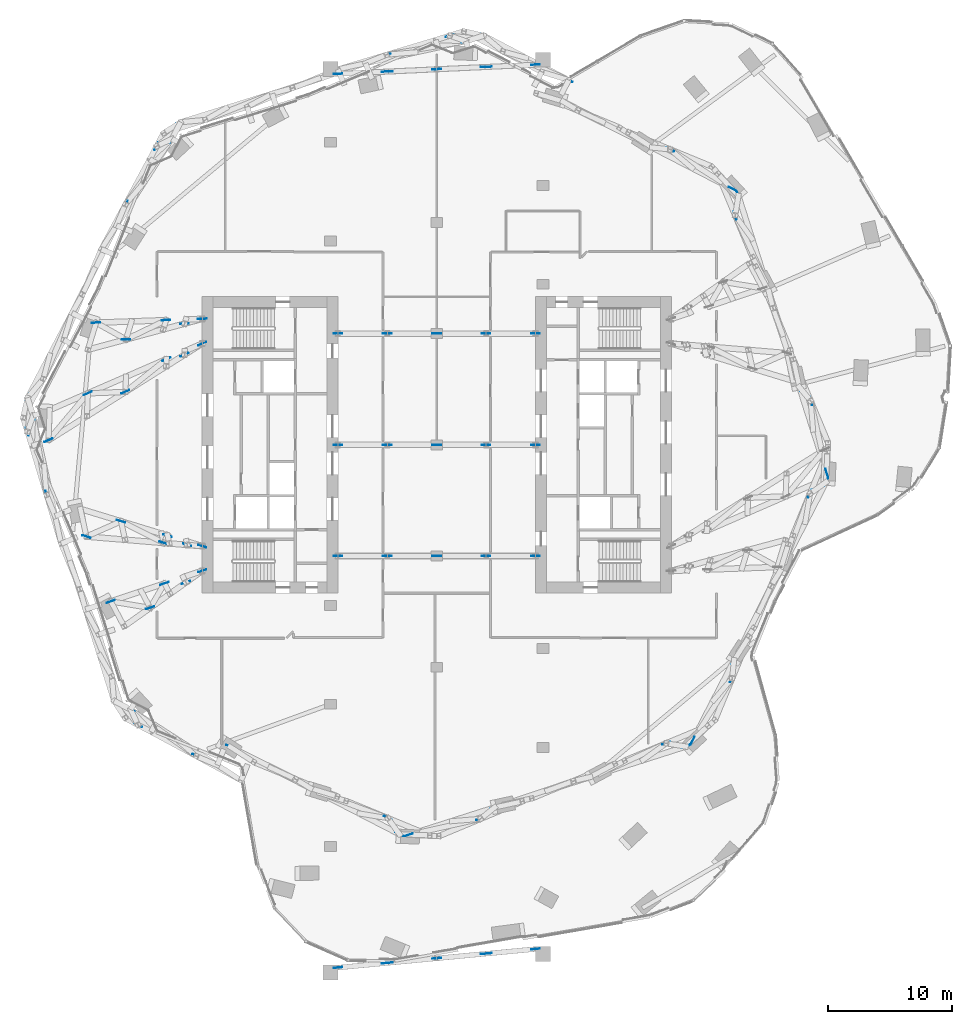
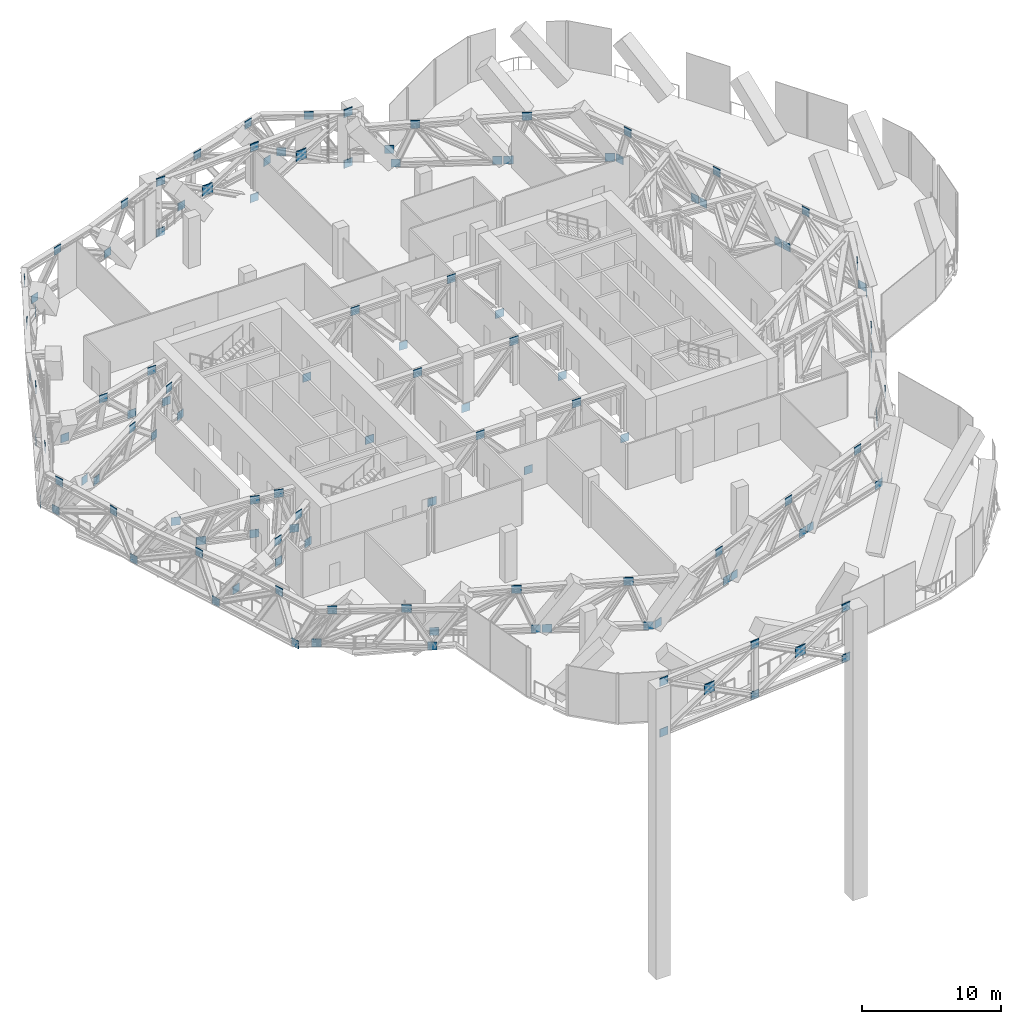
# One storey, part 26 of 31: 4 discrete accessories.
"""IFC4 building model written with IfcOpenShell, lengths in metres."""

from ifc_helpers import new_model, si_unit, direction, frame, origin, origin_2d, place, context, subcontext, project, spatial, rectangle, extrude, material, layer, layer_set, type_object, element, save


model = new_model("IFC4")

# Units and contexts
model_context = context("Model", 3, precision=1e-05, world=origin(), true_north=direction((0.0, 1.0)))
body_context = subcontext(model_context, "Body", "Model", "MODEL_VIEW")
ifc_project = project(units=[si_unit("LENGTHUNIT", "METRE"), si_unit("AREAUNIT", "SQUARE_METRE"), si_unit("VOLUMEUNIT", "CUBIC_METRE"), si_unit("PLANEANGLEUNIT", "RADIAN"), si_unit("MASSUNIT", "GRAM", prefix="KILO")], contexts=[model_context])

# Site, building, storey
site_placement = place(None, origin())
site = spatial("IfcSite", under=ifc_project, at=site_placement, CompositionType="ELEMENT")
building_placement = place(site_placement, origin())
building = spatial("IfcBuilding", under=site, at=building_placement, Name="Orlundy Tower", CompositionType="ELEMENT")
storey_placement = place(building_placement, frame((0.0, 0.0, 271.0)))
storey = spatial("IfcBuildingStorey", under=building, at=storey_placement, Name="L72", CompositionType="ELEMENT", Elevation=271.0)

# Discrete accessories
ifc_material = material(Name="Steel ASTM A572 Gr 50", Category="steel")
ifc_layer = layer(ifc_material, 0.0400390625)
ifc_layer_set = layer_set([ifc_layer], Name="CONNECTION PLATES")
discrete_accessory_type = type_object("IfcDiscreteAccessoryType", Name="CONNECTION PLATES", PredefinedType="ANCHORPLATE", material=ifc_layer_set)
discrete_accessory_1_placement = place(storey_placement, frame((0.0, 0.0, -271.0)))
element("IfcDiscreteAccessory", 1, at=discrete_accessory_1_placement, inside=storey, type_object=discrete_accessory_type, Name="Connection plates BELT-L72", PredefinedType="ANCHORPLATE", context=body_context, shape_type="SweptSolid", body=[
    extrude(rectangle(XDim=0.699951171875, YDim=0.0400390625, at=origin_2d()), frame((-30.88818359375, -5.77197265625, 270.9345703125), z_axis=(0.0, 0.0, 1.0), x_axis=(0.309116587086, -0.951024150896, 0.0)), (0.0, 0.0, 1.0), 0.699951171875),
    extrude(rectangle(XDim=0.699951171875, YDim=0.0400390625, at=origin_2d()), frame((-28.88037109375, -11.67431640625, 274.365234375), z_axis=(0.0, 0.0, 1.0), x_axis=(0.309116587086, -0.951024150896, 0.0)), (0.0, 0.0, 1.0), 0.699951171875),
    extrude(rectangle(XDim=0.699951171875, YDim=0.0400390625, at=origin_2d()), frame((-28.43408203125, -13.322509765625, 270.9345703125), z_axis=(0.0, 0.0, 1.0), x_axis=(0.309116587086, -0.951024150896, 0.0)), (0.0, 0.0, 1.0), 0.699951171875),
    extrude(rectangle(XDim=0.699951171875, YDim=0.0400390625, at=origin_2d()), frame((-26.3017578125, -18.73095703125, 274.365234375), z_axis=(0.0, 0.0, 1.0), x_axis=(0.297991369651, -0.954568564124, 0.0)), (0.0, 0.0, 1.0), 0.699951171875),
    extrude(rectangle(XDim=0.699951171875, YDim=0.0400390625, at=origin_2d()), frame((-26.122314453125, -20.727783203125, 270.9345703125), z_axis=(0.0, 0.0, 1.0), x_axis=(0.297991369651, -0.954568564124, 0.0)), (0.0, 0.0, 1.0), 0.699951171875),
    extrude(rectangle(XDim=0.699951171875, YDim=0.0400390625, at=origin_2d()), frame((-24.176513671875, -22.6796875, 274.365234375), z_axis=(0.0, 0.0, 1.0), x_axis=(0.885693623015, -0.464270186584, 0.0)), (0.0, 0.0, 1.0), 0.699951171875),
    extrude(rectangle(XDim=0.699951171875, YDim=0.0400390625, at=origin_2d()), frame((-24.771728515625, -21.435791015625, 270.9345703125), z_axis=(0.0, 0.0, 1.0), x_axis=(0.885693623015, -0.464270186584, 0.0)), (0.0, 0.0, 1.0), 0.699951171875),
    extrude(rectangle(XDim=0.699951171875, YDim=0.0400390625, at=origin_2d()), frame((-19.471923828125, -25.19873046875, 274.365234375), z_axis=(0.0, 0.0, 1.0), x_axis=(0.842339538642, -0.538947216006, 0.0)), (0.0, 0.0, 1.0), 0.699951171875),
    extrude(rectangle(XDim=0.699951171875, YDim=0.0400390625, at=origin_2d()), frame((-17.75927734375, -25.922607421875, 270.9345703125), z_axis=(0.0, 0.0, 1.0), x_axis=(0.842339538642, -0.538947216006, 0.0)), (0.0, 0.0, 1.0), 0.699951171875),
    extrude(rectangle(XDim=0.699951171875, YDim=0.0400390625, at=origin_2d()), frame((-16.728515625, -24.441162109375, 270.9345703125), z_axis=(0.0, 0.0, 1.0), x_axis=(0.888641246271, -0.458603025966, 0.0)), (0.0, 0.0, 1.0), 0.699951171875),
    extrude(rectangle(XDim=0.699951171875, YDim=0.0400390625, at=origin_2d()), frame((-11.424072265625, -27.069580078125, 274.365234375), z_axis=(0.0, 0.0, 1.0), x_axis=(0.888641246271, -0.458603025966, 0.0)), (0.0, 0.0, 1.0), 0.699951171875),
    extrude(rectangle(XDim=0.699951171875, YDim=0.0400390625, at=origin_2d()), frame((-10.232177734375, -27.7939453125, 270.9345703125), z_axis=(0.0, 0.0, 1.0), x_axis=(0.888641246271, -0.458603025966, 0.0)), (0.0, 0.0, 1.0), 0.699951171875),
    extrude(rectangle(XDim=0.699951171875, YDim=0.0400390625, at=origin_2d()), frame((-9.5166015625, -28.1630859375, 270.9345703125), z_axis=(0.0, 0.0, 1.0), x_axis=(0.888593216602, -0.458696081745, 0.0)), (0.0, 0.0, 1.0), 0.699951171875),
    extrude(rectangle(XDim=0.699951171875, YDim=0.0400390625, at=origin_2d()), frame((-3.948974609375, -30.223876953125, 274.365234375), z_axis=(0.0, 0.0, 1.0), x_axis=(0.888593216602, -0.458696081745, 0.0)), (0.0, 0.0, 1.0), 0.699951171875),
    extrude(rectangle(XDim=0.699951171875, YDim=0.0400390625, at=origin_2d()), frame((-3.020263671875, -31.5166015625, 270.9345703125), z_axis=(0.0, 0.0, 1.0), x_axis=(0.888593216602, -0.458696081745, 0.0)), (0.0, 0.0, 1.0), 0.699951171875),
    extrude(rectangle(XDim=0.699951171875, YDim=0.0400390625, at=origin_2d()), frame((-2.279052734375, -31.578857421875, 270.9345703125), z_axis=(0.0, 0.0, 1.0), x_axis=(0.952656174731, 0.304049687959, 0.0)), (0.0, 0.0, 1.0), 0.699951171875),
    extrude(rectangle(XDim=0.699951171875, YDim=0.0400390625, at=origin_2d()), frame((3.546875, -30.273681640625, 274.365234375), z_axis=(0.0, 0.0, 1.0), x_axis=(0.952656174731, 0.304049687959, 0.0)), (0.0, 0.0, 1.0), 0.699951171875),
    extrude(rectangle(XDim=0.699951171875, YDim=0.0400390625, at=origin_2d()), frame((4.68603515625, -29.35595703125, 270.9345703125), z_axis=(0.0, 0.0, 1.0), x_axis=(0.952656174731, 0.304049687959, 0.0)), (0.0, 0.0, 1.0), 0.699951171875),
    extrude(rectangle(XDim=0.699951171875, YDim=0.0400390625, at=origin_2d()), frame((5.452880859375, -29.111083984375, 270.9345703125), z_axis=(0.0, 0.0, 1.0), x_axis=(0.952656174731, 0.304049687959, 0.0)), (0.0, 0.0, 1.0), 0.699951171875),
    extrude(rectangle(XDim=0.699951171875, YDim=0.0400390625, at=origin_2d()), frame((11.06298828125, -27.218994140625, 274.365234375), z_axis=(0.0, 0.0, 1.0), x_axis=(0.952656174731, 0.304049687959, 0.0)), (0.0, 0.0, 1.0), 0.699951171875),
    extrude(rectangle(XDim=0.699951171875, YDim=0.0400390625, at=origin_2d()), frame((12.418212890625, -26.88818359375, 270.9345703125), z_axis=(0.0, 0.0, 1.0), x_axis=(0.952656174731, 0.304049687959, 0.0)), (0.0, 0.0, 1.0), 0.699951171875),
    extrude(rectangle(XDim=0.699951171875, YDim=0.0400390625, at=origin_2d()), frame((13.18505859375, -26.6435546875, 270.9345703125), z_axis=(0.0, 0.0, 1.0), x_axis=(0.952693314298, 0.303933296782, 0.0)), (0.0, 0.0, 1.0), 0.699951171875),
    extrude(rectangle(XDim=0.699951171875, YDim=0.0400390625, at=origin_2d()), frame((18.5791015625, -24.1640625, 274.365234375), z_axis=(0.0, 0.0, 1.0), x_axis=(0.952693314298, 0.303933296782, 0.0)), (0.0, 0.0, 1.0), 0.699951171875),
    extrude(rectangle(XDim=0.699951171875, YDim=0.0400390625, at=origin_2d()), frame((20.150146484375, -24.42138671875, 270.9345703125), z_axis=(0.0, 0.0, 1.0), x_axis=(0.952693314298, 0.303933296782, 0.0)), (0.0, 0.0, 1.0), 0.699951171875),
    extrude(rectangle(XDim=0.699951171875, YDim=0.0400390625, at=origin_2d()), frame((20.71826171875, -23.94140625, 270.9345703125), z_axis=(0.0, 0.0, 1.0), x_axis=(0.458649554484, 0.888617232655, 0.0)), (0.0, 0.0, 1.0), 0.699951171875),
    extrude(rectangle(XDim=0.699951171875, YDim=0.0400390625, at=origin_2d()), frame((23.914794921875, -18.89892578125, 274.365234375), z_axis=(0.0, 0.0, 1.0), x_axis=(0.458649554484, 0.888617232655, 0.0)), (0.0, 0.0, 1.0), 0.699951171875),
    extrude(rectangle(XDim=0.699951171875, YDim=0.0400390625, at=origin_2d()), frame((24.072021484375, -17.44384765625, 270.9345703125), z_axis=(0.0, 0.0, 1.0), x_axis=(0.458649554484, 0.888617232655, 0.0)), (0.0, 0.0, 1.0), 0.699951171875),
    extrude(rectangle(XDim=0.699951171875, YDim=0.0400390625, at=origin_2d()), frame((24.441162109375, -16.728515625, 270.9345703125), z_axis=(0.0, 0.0, 1.0), x_axis=(0.458603025966, 0.888641246271, 0.0)), (0.0, 0.0, 1.0), 0.699951171875),
    extrude(rectangle(XDim=0.699951171875, YDim=0.0400390625, at=origin_2d()), frame((27.069580078125, -11.424072265625, 274.365234375), z_axis=(0.0, 0.0, 1.0), x_axis=(0.458603025966, 0.888641246271, 0.0)), (0.0, 0.0, 1.0), 0.699951171875),
    extrude(rectangle(XDim=0.699951171875, YDim=0.0400390625, at=origin_2d()), frame((27.7939453125, -10.232177734375, 270.9345703125), z_axis=(0.0, 0.0, 1.0), x_axis=(0.458603025966, 0.888641246271, 0.0)), (0.0, 0.0, 1.0), 0.699951171875),
    extrude(rectangle(XDim=0.699951171875, YDim=0.0400390625, at=origin_2d()), frame((28.1630859375, -9.5166015625, 270.9345703125), z_axis=(0.0, 0.0, 1.0), x_axis=(0.458696081745, 0.888593216602, 0.0)), (0.0, 0.0, 1.0), 0.699951171875),
    extrude(rectangle(XDim=0.699951171875, YDim=0.0400390625, at=origin_2d()), frame((30.223876953125, -3.948974609375, 274.365234375), z_axis=(0.0, 0.0, 1.0), x_axis=(0.458696081745, 0.888593216602, 0.0)), (0.0, 0.0, 1.0), 0.699951171875),
    extrude(rectangle(XDim=0.699951171875, YDim=0.0400390625, at=origin_2d()), frame((31.5166015625, -3.020263671875, 270.9345703125), z_axis=(0.0, 0.0, 1.0), x_axis=(0.458696081745, 0.888593216602, 0.0)), (0.0, 0.0, 1.0), 0.699951171875),
    extrude(rectangle(XDim=0.699951171875, YDim=0.0400390625, at=origin_2d()), frame((31.578857421875, -2.279052734375, 270.9345703125), z_axis=(0.0, 0.0, 1.0), x_axis=(-0.304049687959, 0.952656174731, 0.0)), (0.0, 0.0, 1.0), 0.699951171875),
    extrude(rectangle(XDim=0.699951171875, YDim=0.0400390625, at=origin_2d()), frame((30.273681640625, 3.546875, 274.365234375), z_axis=(0.0, 0.0, 1.0), x_axis=(-0.304049687959, 0.952656174731, 0.0)), (0.0, 0.0, 1.0), 0.699951171875),
    extrude(rectangle(XDim=0.699951171875, YDim=0.0400390625, at=origin_2d()), frame((29.35595703125, 4.68603515625, 270.9345703125), z_axis=(0.0, 0.0, 1.0), x_axis=(-0.304049687959, 0.952656174731, 0.0)), (0.0, 0.0, 1.0), 0.699951171875),
    extrude(rectangle(XDim=0.699951171875, YDim=0.0400390625, at=origin_2d()), frame((29.111083984375, 5.452880859375, 270.9345703125), z_axis=(0.0, 0.0, 1.0), x_axis=(-0.304049687959, 0.952656174731, 0.0)), (0.0, 0.0, 1.0), 0.699951171875),
    extrude(rectangle(XDim=0.699951171875, YDim=0.0400390625, at=origin_2d()), frame((27.218994140625, 11.06298828125, 274.365234375), z_axis=(0.0, 0.0, 1.0), x_axis=(-0.304049687959, 0.952656174731, 0.0)), (0.0, 0.0, 1.0), 0.699951171875),
    extrude(rectangle(XDim=0.699951171875, YDim=0.0400390625, at=origin_2d()), frame((26.88818359375, 12.418212890625, 270.9345703125), z_axis=(0.0, 0.0, 1.0), x_axis=(-0.304049687959, 0.952656174731, 0.0)), (0.0, 0.0, 1.0), 0.699951171875),
    extrude(rectangle(XDim=0.699951171875, YDim=0.0400390625, at=origin_2d()), frame((26.6435546875, 13.18505859375, 270.9345703125), z_axis=(0.0, 0.0, 1.0), x_axis=(-0.303933296782, 0.952693314298, 0.0)), (0.0, 0.0, 1.0), 0.699951171875),
    extrude(rectangle(XDim=0.699951171875, YDim=0.0400390625, at=origin_2d()), frame((24.1640625, 18.5791015625, 274.365234375), z_axis=(0.0, 0.0, 1.0), x_axis=(-0.303933296782, 0.952693314298, 0.0)), (0.0, 0.0, 1.0), 0.699951171875),
    extrude(rectangle(XDim=0.699951171875, YDim=0.0400390625, at=origin_2d()), frame((24.42138671875, 20.150146484375, 270.9345703125), z_axis=(0.0, 0.0, 1.0), x_axis=(-0.303933296782, 0.952693314298, 0.0)), (0.0, 0.0, 1.0), 0.699951171875),
    extrude(rectangle(XDim=0.699951171875, YDim=0.0400390625, at=origin_2d()), frame((23.94140625, 20.71826171875, 270.9345703125), z_axis=(0.0, 0.0, 1.0), x_axis=(-0.888617232655, 0.458649554484, 0.0)), (0.0, 0.0, 1.0), 0.699951171875),
    extrude(rectangle(XDim=0.699951171875, YDim=0.0400390625, at=origin_2d()), frame((18.89892578125, 23.914794921875, 274.365234375), z_axis=(0.0, 0.0, 1.0), x_axis=(-0.888617232655, 0.458649554484, 0.0)), (0.0, 0.0, 1.0), 0.699951171875),
    extrude(rectangle(XDim=0.699951171875, YDim=0.0400390625, at=origin_2d()), frame((17.44384765625, 24.072021484375, 270.9345703125), z_axis=(0.0, 0.0, 1.0), x_axis=(-0.888617232655, 0.458649554484, 0.0)), (0.0, 0.0, 1.0), 0.699951171875),
    extrude(rectangle(XDim=0.699951171875, YDim=0.0400390625, at=origin_2d()), frame((16.728515625, 24.441162109375, 270.9345703125), z_axis=(0.0, 0.0, 1.0), x_axis=(-0.888641246271, 0.458603025966, 0.0)), (0.0, 0.0, 1.0), 0.699951171875),
    extrude(rectangle(XDim=0.699951171875, YDim=0.0400390625, at=origin_2d()), frame((11.424072265625, 27.069580078125, 274.365234375), z_axis=(0.0, 0.0, 1.0), x_axis=(-0.888641246271, 0.458603025966, 0.0)), (0.0, 0.0, 1.0), 0.699951171875),
    extrude(rectangle(XDim=0.699951171875, YDim=0.0400390625, at=origin_2d()), frame((10.232177734375, 27.7939453125, 270.9345703125), z_axis=(0.0, 0.0, 1.0), x_axis=(-0.888641246271, 0.458603025966, 0.0)), (0.0, 0.0, 1.0), 0.699951171875),
    extrude(rectangle(XDim=0.699951171875, YDim=0.0400390625, at=origin_2d()), frame((10.68603515625, 29.526611328125, 270.9345703125), z_axis=(0.0, 0.0, 1.0), x_axis=(-0.885685519837, 0.464285644783, 0.0)), (0.0, 0.0, 1.0), 0.699951171875),
    extrude(rectangle(XDim=0.699951171875, YDim=0.0400390625, at=origin_2d()), frame((5.353271484375, 31.843505859375, 274.365234375), z_axis=(0.0, 0.0, 1.0), x_axis=(-0.885685519837, 0.464285644783, 0.0)), (0.0, 0.0, 1.0), 0.699951171875),
    extrude(rectangle(XDim=0.699951171875, YDim=0.0400390625, at=origin_2d()), frame((3.81494140625, 33.12841796875, 270.9345703125), z_axis=(0.0, 0.0, 1.0), x_axis=(-0.885685519837, 0.464285644783, 0.0)), (0.0, 0.0, 1.0), 0.699951171875),
    extrude(rectangle(XDim=0.699951171875, YDim=0.0400390625, at=origin_2d()), frame((1.057861328125, 33.1328125, 274.365234375), z_axis=(0.0, 0.0, 1.0), x_axis=(-0.954500927457, -0.298207946716, 0.0)), (0.0, 0.0, 1.0), 0.699951171875),
    extrude(rectangle(XDim=0.699951171875, YDim=0.0400390625, at=origin_2d()), frame((2.35888671875, 32.673583984375, 270.9345703125), z_axis=(0.0, 0.0, 1.0), x_axis=(-0.954500927457, -0.298207946716, 0.0)), (0.0, 0.0, 1.0), 0.699951171875),
    extrude(rectangle(XDim=0.699951171875, YDim=0.0400390625, at=origin_2d()), frame((-4.0498046875, 31.587158203125, 274.365234375), z_axis=(0.0, 0.0, 1.0), x_axis=(-0.976735948597, -0.214445533221, 0.0)), (0.0, 0.0, 1.0), 0.699951171875),
    extrude(rectangle(XDim=0.699951171875, YDim=0.0400390625, at=origin_2d()), frame((-5.77197265625, 30.88818359375, 270.9345703125), z_axis=(0.0, 0.0, 1.0), x_axis=(-0.976735948597, -0.214445533221, 0.0)), (0.0, 0.0, 1.0), 0.699951171875),
    extrude(rectangle(XDim=0.699951171875, YDim=0.0400390625, at=origin_2d()), frame((-11.67431640625, 28.88037109375, 274.365234375), z_axis=(0.0, 0.0, 1.0), x_axis=(-0.951024150896, -0.309116587086, 0.0)), (0.0, 0.0, 1.0), 0.699951171875),
    extrude(rectangle(XDim=0.699951171875, YDim=0.0400390625, at=origin_2d()), frame((-13.322509765625, 28.43408203125, 270.9345703125), z_axis=(0.0, 0.0, 1.0), x_axis=(-0.951024150896, -0.309116587086, 0.0)), (0.0, 0.0, 1.0), 0.699951171875),
    extrude(rectangle(XDim=0.699951171875, YDim=0.0400390625, at=origin_2d()), frame((-18.73095703125, 26.3017578125, 274.365234375), z_axis=(0.0, 0.0, 1.0), x_axis=(-0.954568564124, -0.297991369651, 0.0)), (0.0, 0.0, 1.0), 0.699951171875),
    extrude(rectangle(XDim=0.699951171875, YDim=0.0400390625, at=origin_2d()), frame((-20.727783203125, 26.122314453125, 270.9345703125), z_axis=(0.0, 0.0, 1.0), x_axis=(-0.954568564124, -0.297991369651, 0.0)), (0.0, 0.0, 1.0), 0.699951171875),
    extrude(rectangle(XDim=0.699951171875, YDim=0.0400390625, at=origin_2d()), frame((-22.6796875, 24.176513671875, 274.365234375), z_axis=(0.0, 0.0, 1.0), x_axis=(-0.464270186584, -0.885693623015, 0.0)), (0.0, 0.0, 1.0), 0.699951171875),
    extrude(rectangle(XDim=0.699951171875, YDim=0.0400390625, at=origin_2d()), frame((-21.435791015625, 24.771728515625, 270.9345703125), z_axis=(0.0, 0.0, 1.0), x_axis=(-0.464270186584, -0.885693623015, 0.0)), (0.0, 0.0, 1.0), 0.699951171875),
    extrude(rectangle(XDim=0.699951171875, YDim=0.0400390625, at=origin_2d()), frame((-25.19873046875, 19.471923828125, 274.365234375), z_axis=(0.0, 0.0, 1.0), x_axis=(-0.538991320063, -0.842311318277, 0.0)), (0.0, 0.0, 1.0), 0.699951171875),
    extrude(rectangle(XDim=0.699951171875, YDim=0.0400390625, at=origin_2d()), frame((-25.9228515625, 17.759521484375, 270.9345703125), z_axis=(0.0, 0.0, 1.0), x_axis=(-0.538991320063, -0.842311318277, 0.0)), (0.0, 0.0, 1.0), 0.699951171875),
    extrude(rectangle(XDim=0.699951171875, YDim=0.0400390625, at=origin_2d()), frame((-28.676513671875, 12.166259765625, 274.365234375), z_axis=(0.0, 0.0, 1.0), x_axis=(-0.453881639369, -0.891061982941, 0.0)), (0.0, 0.0, 1.0), 0.699951171875),
    extrude(rectangle(XDim=0.699951171875, YDim=0.0400390625, at=origin_2d()), frame((-29.52587890625, 10.685791015625, 270.9345703125), z_axis=(0.0, 0.0, 1.0), x_axis=(-0.453881639369, -0.891061982941, 0.0)), (0.0, 0.0, 1.0), 0.699951171875),
    extrude(rectangle(XDim=0.699951171875, YDim=0.0400390625, at=origin_2d()), frame((-31.843017578125, 5.35302734375, 274.365234375), z_axis=(0.0, 0.0, 1.0), x_axis=(-0.464362933657, -0.885644999898, 0.0)), (0.0, 0.0, 1.0), 0.699951171875),
    extrude(rectangle(XDim=0.699951171875, YDim=0.0400390625, at=origin_2d()), frame((-33.12841796875, 3.81494140625, 270.9345703125), z_axis=(0.0, 0.0, 1.0), x_axis=(-0.464362933657, -0.885644999898, 0.0)), (0.0, 0.0, 1.0), 0.699951171875),
    extrude(rectangle(XDim=0.699951171875, YDim=0.0400390625, at=origin_2d()), frame((-33.1328125, 1.057861328125, 274.365234375), z_axis=(0.0, 0.0, 1.0), x_axis=(0.298207946716, -0.954500927457, 0.0)), (0.0, 0.0, 1.0), 0.699951171875),
    extrude(rectangle(XDim=0.699951171875, YDim=0.0400390625, at=origin_2d()), frame((-32.673583984375, 2.35888671875, 270.9345703125), z_axis=(0.0, 0.0, 1.0), x_axis=(0.298207946716, -0.954500927457, 0.0)), (0.0, 0.0, 1.0), 0.699951171875),
    extrude(rectangle(XDim=0.699951171875, YDim=0.0400390625, at=origin_2d()), frame((-31.587158203125, -4.0498046875, 274.365234375), z_axis=(0.0, 0.0, 1.0), x_axis=(0.214445533221, -0.976735948597, 0.0)), (0.0, 0.0, 1.0), 0.699951171875),
])
discrete_accessory_2_placement = place(storey_placement, frame((0.0, 0.0, -271.0)))
element("IfcDiscreteAccessory", 2, at=discrete_accessory_2_placement, inside=storey, type_object=discrete_accessory_type, Name="Connection plates OUTRIG-L72-W", PredefinedType="ANCHORPLATE", context=body_context, shape_type="SweptSolid", body=[
    extrude(rectangle(XDim=0.699951171875, YDim=0.0400390625, at=origin_2d()), frame((-18.97998046875, -10.199951171875, 270.9345703125), z_axis=(0.0, 0.0, 1.0), x_axis=(-0.948450953048, -0.316923949336, 0.0)), (0.0, 0.0, 1.0), 0.699951171875),
    extrude(rectangle(XDim=0.699951171875, YDim=0.0400390625, at=origin_2d()), frame((-20.29833984375, -11.135986328125, 274.365234375), z_axis=(0.0, 0.0, 1.0), x_axis=(-0.948450953048, -0.316923949336, 0.0)), (0.0, 0.0, 1.0), 0.699951171875),
    extrude(rectangle(XDim=0.699951171875, YDim=0.0400390625, at=origin_2d()), frame((-22.039794921875, -11.222412109375, 270.9345703125), z_axis=(0.0, 0.0, 1.0), x_axis=(-0.948450953048, -0.316923949336, 0.0)), (0.0, 0.0, 1.0), 0.699951171875),
    extrude(rectangle(XDim=0.699951171875, YDim=0.0400390625, at=origin_2d()), frame((-23.19970703125, -13.195556640625, 274.365234375), z_axis=(0.0, 0.0, 1.0), x_axis=(-0.948450953048, -0.316923949336, 0.0)), (0.0, 0.0, 1.0), 0.699951171875),
    extrude(rectangle(XDim=0.699951171875, YDim=0.0400390625, at=origin_2d()), frame((-26.384033203125, -12.674072265625, 270.9345703125), z_axis=(0.0, 0.0, 1.0), x_axis=(-0.948450953048, -0.316923949336, 0.0)), (0.0, 0.0, 1.0), 0.699951171875),
    extrude(rectangle(XDim=0.699951171875, YDim=0.0400390625, at=origin_2d()), frame((-18.97998046875, -8.199951171875, 270.9345703125), z_axis=(0.0, 0.0, 1.0), x_axis=(-0.956416948139, 0.292004488513, 0.0)), (0.0, 0.0, 1.0), 0.699951171875),
    extrude(rectangle(XDim=0.699951171875, YDim=0.0400390625, at=origin_2d()), frame((-20.19921875, -8.098876953125, 274.365234375), z_axis=(0.0, 0.0, 1.0), x_axis=(-0.956416948139, 0.292004488513, 0.0)), (0.0, 0.0, 1.0), 0.699951171875),
    extrude(rectangle(XDim=0.699951171875, YDim=0.0400390625, at=origin_2d()), frame((-21.792724609375, -7.34130859375, 270.9345703125), z_axis=(0.0, 0.0, 1.0), x_axis=(-0.956416948139, 0.292004488513, 0.0)), (0.0, 0.0, 1.0), 0.699951171875),
    extrude(rectangle(XDim=0.699951171875, YDim=0.0400390625, at=origin_2d()), frame((-22.107177734375, -7.94091796875, 274.365234375), z_axis=(0.0, 0.0, 1.0), x_axis=(-0.956416948139, 0.292004488513, 0.0)), (0.0, 0.0, 1.0), 0.699951171875),
    extrude(rectangle(XDim=0.699951171875, YDim=0.0400390625, at=origin_2d()), frame((-25.55908203125, -6.19140625, 270.9345703125), z_axis=(0.0, 0.0, 1.0), x_axis=(-0.956416948139, 0.292004488513, 0.0)), (0.0, 0.0, 1.0), 0.699951171875),
    extrude(rectangle(XDim=0.699951171875, YDim=0.0400390625, at=origin_2d()), frame((-28.361328125, -7.42236328125, 274.365234375), z_axis=(0.0, 0.0, 1.0), x_axis=(-0.956416948139, 0.292004488513, 0.0)), (0.0, 0.0, 1.0), 0.699951171875),
    extrude(rectangle(XDim=0.699951171875, YDim=0.0400390625, at=origin_2d()), frame((-18.97998046875, 8.199951171875, 270.9345703125), z_axis=(0.0, 0.0, 1.0), x_axis=(-0.916899932365, -0.399117168296, 0.0)), (0.0, 0.0, 1.0), 0.699951171875),
    extrude(rectangle(XDim=0.699951171875, YDim=0.0400390625, at=origin_2d()), frame((-20.41650390625, 7.297119140625, 274.365234375), z_axis=(0.0, 0.0, 1.0), x_axis=(-0.916899932365, -0.399117168296, 0.0)), (0.0, 0.0, 1.0), 0.699951171875),
    extrude(rectangle(XDim=0.699951171875, YDim=0.0400390625, at=origin_2d()), frame((-21.871826171875, 6.941162109375, 270.9345703125), z_axis=(0.0, 0.0, 1.0), x_axis=(-0.916899932365, -0.399117168296, 0.0)), (0.0, 0.0, 1.0), 0.699951171875),
    extrude(rectangle(XDim=0.699951171875, YDim=0.0400390625, at=origin_2d()), frame((-25.2060546875, 4.285888671875, 274.365234375), z_axis=(0.0, 0.0, 1.0), x_axis=(-0.916899932365, -0.399117168296, 0.0)), (0.0, 0.0, 1.0), 0.699951171875),
    extrude(rectangle(XDim=0.699951171875, YDim=0.0400390625, at=origin_2d()), frame((-28.244140625, 4.16748046875, 270.9345703125), z_axis=(0.0, 0.0, 1.0), x_axis=(-0.916899932365, -0.399117168296, 0.0)), (0.0, 0.0, 1.0), 0.699951171875),
    extrude(rectangle(XDim=0.699951171875, YDim=0.0400390625, at=origin_2d()), frame((-31.431884765625, 0.371826171875, 274.365234375), z_axis=(0.0, 0.0, 1.0), x_axis=(-0.916899932365, -0.399117168296, 0.0)), (0.0, 0.0, 1.0), 0.699951171875),
    extrude(rectangle(XDim=0.699951171875, YDim=0.0400390625, at=origin_2d()), frame((-18.97998046875, 10.199951171875, 270.9345703125), z_axis=(0.0, 0.0, 1.0), x_axis=(-0.999346181942, -0.036155340369, 0.0)), (0.0, 0.0, 1.0), 0.699951171875),
    extrude(rectangle(XDim=0.699951171875, YDim=0.0400390625, at=origin_2d()), frame((-20.41357421875, 9.8134765625, 274.365234375), z_axis=(0.0, 0.0, 1.0), x_axis=(-0.999346181942, -0.036155340369, 0.0)), (0.0, 0.0, 1.0), 0.699951171875),
    extrude(rectangle(XDim=0.699951171875, YDim=0.0400390625, at=origin_2d()), frame((-21.9091796875, 10.093994140625, 270.9345703125), z_axis=(0.0, 0.0, 1.0), x_axis=(-0.999346181942, -0.036155340369, 0.0)), (0.0, 0.0, 1.0), 0.699951171875),
    extrude(rectangle(XDim=0.699951171875, YDim=0.0400390625, at=origin_2d()), frame((-25.15625, 8.5341796875, 274.365234375), z_axis=(0.0, 0.0, 1.0), x_axis=(-0.999346181942, -0.036155340369, 0.0)), (0.0, 0.0, 1.0), 0.699951171875),
    extrude(rectangle(XDim=0.699951171875, YDim=0.0400390625, at=origin_2d()), frame((-27.576171875, 9.888916015625, 270.9345703125), z_axis=(0.0, 0.0, 1.0), x_axis=(-0.999346181942, -0.036155340369, 0.0)), (0.0, 0.0, 1.0), 0.699951171875),
])
discrete_accessory_3_placement = place(storey_placement, frame((0.0, 0.0, -271.0)))
element("IfcDiscreteAccessory", 3, at=discrete_accessory_3_placement, inside=storey, type_object=discrete_accessory_type, Name="Connection plates PORTAL-FACE", PredefinedType="ANCHORPLATE", context=body_context, shape_type="SweptSolid", body=[
    extrude(rectangle(XDim=0.699951171875, YDim=0.0400390625, at=origin_2d()), frame((-8.0, 30.030029296875, 269.91552734375), z_axis=(0.0, 0.0, 1.0), x_axis=(0.998906257359, 0.046757769503, 0.0)), (0.0, 0.0, 1.0), 0.699951171875),
    extrude(rectangle(XDim=0.699951171875, YDim=0.0400390625, at=origin_2d()), frame((0.0, 30.404541015625, 274.365234375), z_axis=(0.0, 0.0, 1.0), x_axis=(0.998906257359, 0.046757769503, 0.0)), (0.0, 0.0, 1.0), 0.699951171875),
    extrude(rectangle(XDim=0.89990234375, YDim=0.0400390625, at=origin_2d()), frame((-4.0, 30.21728515625, 272.040283203125), z_axis=(0.0, 0.0, 1.0), x_axis=(0.998906257359, 0.046757769503, 0.0)), (0.0, 0.0, 1.0), 0.89990234375),
    extrude(rectangle(XDim=0.699951171875, YDim=0.0400390625, at=origin_2d()), frame((-8.0, 30.030029296875, 274.365234375), z_axis=(0.0, 0.0, 1.0), x_axis=(0.998906257359, 0.046757769503, 0.0)), (0.0, 0.0, 1.0), 0.699951171875),
    extrude(rectangle(XDim=0.699951171875, YDim=0.0400390625, at=origin_2d()), frame((0.0, 30.404541015625, 269.91552734375), z_axis=(0.0, 0.0, 1.0), x_axis=(0.998906257359, 0.046757769503, 0.0)), (0.0, 0.0, 1.0), 0.699951171875),
    extrude(rectangle(XDim=0.699951171875, YDim=0.0400390625, at=origin_2d()), frame((8.0, 30.779052734375, 269.91552734375), z_axis=(0.0, 0.0, 1.0), x_axis=(0.998906257359, 0.046757769503, 0.0)), (0.0, 0.0, 1.0), 0.699951171875),
    extrude(rectangle(XDim=0.89990234375, YDim=0.0400390625, at=origin_2d()), frame((4.0, 30.591796875, 272.040283203125), z_axis=(0.0, 0.0, 1.0), x_axis=(0.998906257359, 0.046757769503, 0.0)), (0.0, 0.0, 1.0), 0.89990234375),
    extrude(rectangle(XDim=0.699951171875, YDim=0.0400390625, at=origin_2d()), frame((8.0, 30.779052734375, 274.365234375), z_axis=(0.0, 0.0, 1.0), x_axis=(0.998906257359, 0.046757769503, 0.0)), (0.0, 0.0, 1.0), 0.699951171875),
    extrude(rectangle(XDim=0.699951171875, YDim=0.0400390625, at=origin_2d()), frame((-8.0, -42.322998046875, 269.91552734375), z_axis=(0.0, 0.0, 1.0), x_axis=(0.995599661887, 0.09370866156, 0.0)), (0.0, 0.0, 1.0), 0.699951171875),
    extrude(rectangle(XDim=0.699951171875, YDim=0.0400390625, at=origin_2d()), frame((0.0, -41.570068359375, 274.365234375), z_axis=(0.0, 0.0, 1.0), x_axis=(0.995599661887, 0.09370866156, 0.0)), (0.0, 0.0, 1.0), 0.699951171875),
    extrude(rectangle(XDim=0.89990234375, YDim=0.0400390625, at=origin_2d()), frame((-4.0, -41.946533203125, 272.040283203125), z_axis=(0.0, 0.0, 1.0), x_axis=(0.995599661887, 0.09370866156, 0.0)), (0.0, 0.0, 1.0), 0.89990234375),
    extrude(rectangle(XDim=0.699951171875, YDim=0.0400390625, at=origin_2d()), frame((-8.0, -42.322998046875, 274.365234375), z_axis=(0.0, 0.0, 1.0), x_axis=(0.995599661887, 0.09370866156, 0.0)), (0.0, 0.0, 1.0), 0.699951171875),
    extrude(rectangle(XDim=0.699951171875, YDim=0.0400390625, at=origin_2d()), frame((0.0, -41.570068359375, 269.91552734375), z_axis=(0.0, 0.0, 1.0), x_axis=(0.995599661887, 0.09370866156, 0.0)), (0.0, 0.0, 1.0), 0.699951171875),
    extrude(rectangle(XDim=0.699951171875, YDim=0.0400390625, at=origin_2d()), frame((8.0, -40.81689453125, 269.91552734375), z_axis=(0.0, 0.0, 1.0), x_axis=(0.995599661887, 0.09370866156, 0.0)), (0.0, 0.0, 1.0), 0.699951171875),
    extrude(rectangle(XDim=0.89990234375, YDim=0.0400390625, at=origin_2d()), frame((4.0, -41.193603515625, 272.040283203125), z_axis=(0.0, 0.0, 1.0), x_axis=(0.995599661887, 0.09370866156, 0.0)), (0.0, 0.0, 1.0), 0.89990234375),
    extrude(rectangle(XDim=0.699951171875, YDim=0.0400390625, at=origin_2d()), frame((8.0, -40.81689453125, 274.365234375), z_axis=(0.0, 0.0, 1.0), x_axis=(0.995599661887, 0.09370866156, 0.0)), (0.0, 0.0, 1.0), 0.699951171875),
])
discrete_accessory_4_placement = place(storey_placement, frame((0.0, 0.0, -271.0)))
element("IfcDiscreteAccessory", 4, at=discrete_accessory_4_placement, inside=storey, type_object=discrete_accessory_type, Name="Connection plates PORTAL-HEAD", PredefinedType="ANCHORPLATE", context=body_context, shape_type="SweptSolid", body=[
    extrude(rectangle(XDim=0.699951171875, YDim=0.0400390625, at=origin_2d()), frame((-8.0, -9.0, 269.91552734375), z_axis=(0.0, 0.0, 1.0), x_axis=(1.0, 0.0, 0.0)), (0.0, 0.0, 1.0), 0.699951171875),
    extrude(rectangle(XDim=0.699951171875, YDim=0.0400390625, at=origin_2d()), frame((-4.0, -9.0, 274.365234375), z_axis=(0.0, 0.0, 1.0), x_axis=(1.0, 0.0, 0.0)), (0.0, 0.0, 1.0), 0.699951171875),
    extrude(rectangle(XDim=0.699951171875, YDim=0.0400390625, at=origin_2d()), frame((0.0, -9.0, 269.91552734375), z_axis=(0.0, 0.0, 1.0), x_axis=(1.0, 0.0, 0.0)), (0.0, 0.0, 1.0), 0.699951171875),
    extrude(rectangle(XDim=0.699951171875, YDim=0.0400390625, at=origin_2d()), frame((4.0, -9.0, 274.365234375), z_axis=(0.0, 0.0, 1.0), x_axis=(1.0, 0.0, 0.0)), (0.0, 0.0, 1.0), 0.699951171875),
    extrude(rectangle(XDim=0.699951171875, YDim=0.0400390625, at=origin_2d()), frame((8.0, -9.0, 269.91552734375), z_axis=(0.0, 0.0, 1.0), x_axis=(1.0, 0.0, 0.0)), (0.0, 0.0, 1.0), 0.699951171875),
    extrude(rectangle(XDim=0.699951171875, YDim=0.0400390625, at=origin_2d()), frame((-8.0, 0.0, 269.91552734375), z_axis=(0.0, 0.0, 1.0), x_axis=(1.0, 0.0, 0.0)), (0.0, 0.0, 1.0), 0.699951171875),
    extrude(rectangle(XDim=0.699951171875, YDim=0.0400390625, at=origin_2d()), frame((-4.0, 0.0, 274.365234375), z_axis=(0.0, 0.0, 1.0), x_axis=(1.0, 0.0, 0.0)), (0.0, 0.0, 1.0), 0.699951171875),
    extrude(rectangle(XDim=0.699951171875, YDim=0.0400390625, at=origin_2d()), frame((0.0, 0.0, 269.91552734375), z_axis=(0.0, 0.0, 1.0), x_axis=(1.0, 0.0, 0.0)), (0.0, 0.0, 1.0), 0.699951171875),
    extrude(rectangle(XDim=0.699951171875, YDim=0.0400390625, at=origin_2d()), frame((4.0, 0.0, 274.365234375), z_axis=(0.0, 0.0, 1.0), x_axis=(1.0, 0.0, 0.0)), (0.0, 0.0, 1.0), 0.699951171875),
    extrude(rectangle(XDim=0.699951171875, YDim=0.0400390625, at=origin_2d()), frame((8.0, 0.0, 269.91552734375), z_axis=(0.0, 0.0, 1.0), x_axis=(1.0, 0.0, 0.0)), (0.0, 0.0, 1.0), 0.699951171875),
    extrude(rectangle(XDim=0.699951171875, YDim=0.0400390625, at=origin_2d()), frame((-8.0, 9.0, 269.91552734375), z_axis=(0.0, 0.0, 1.0), x_axis=(1.0, 0.0, 0.0)), (0.0, 0.0, 1.0), 0.699951171875),
    extrude(rectangle(XDim=0.699951171875, YDim=0.0400390625, at=origin_2d()), frame((-4.0, 9.0, 274.365234375), z_axis=(0.0, 0.0, 1.0), x_axis=(1.0, 0.0, 0.0)), (0.0, 0.0, 1.0), 0.699951171875),
    extrude(rectangle(XDim=0.699951171875, YDim=0.0400390625, at=origin_2d()), frame((0.0, 9.0, 269.91552734375), z_axis=(0.0, 0.0, 1.0), x_axis=(1.0, 0.0, 0.0)), (0.0, 0.0, 1.0), 0.699951171875),
    extrude(rectangle(XDim=0.699951171875, YDim=0.0400390625, at=origin_2d()), frame((4.0, 9.0, 274.365234375), z_axis=(0.0, 0.0, 1.0), x_axis=(1.0, 0.0, 0.0)), (0.0, 0.0, 1.0), 0.699951171875),
    extrude(rectangle(XDim=0.699951171875, YDim=0.0400390625, at=origin_2d()), frame((8.0, 9.0, 269.91552734375), z_axis=(0.0, 0.0, 1.0), x_axis=(1.0, 0.0, 0.0)), (0.0, 0.0, 1.0), 0.699951171875),
])

save(model, "model.ifc")
